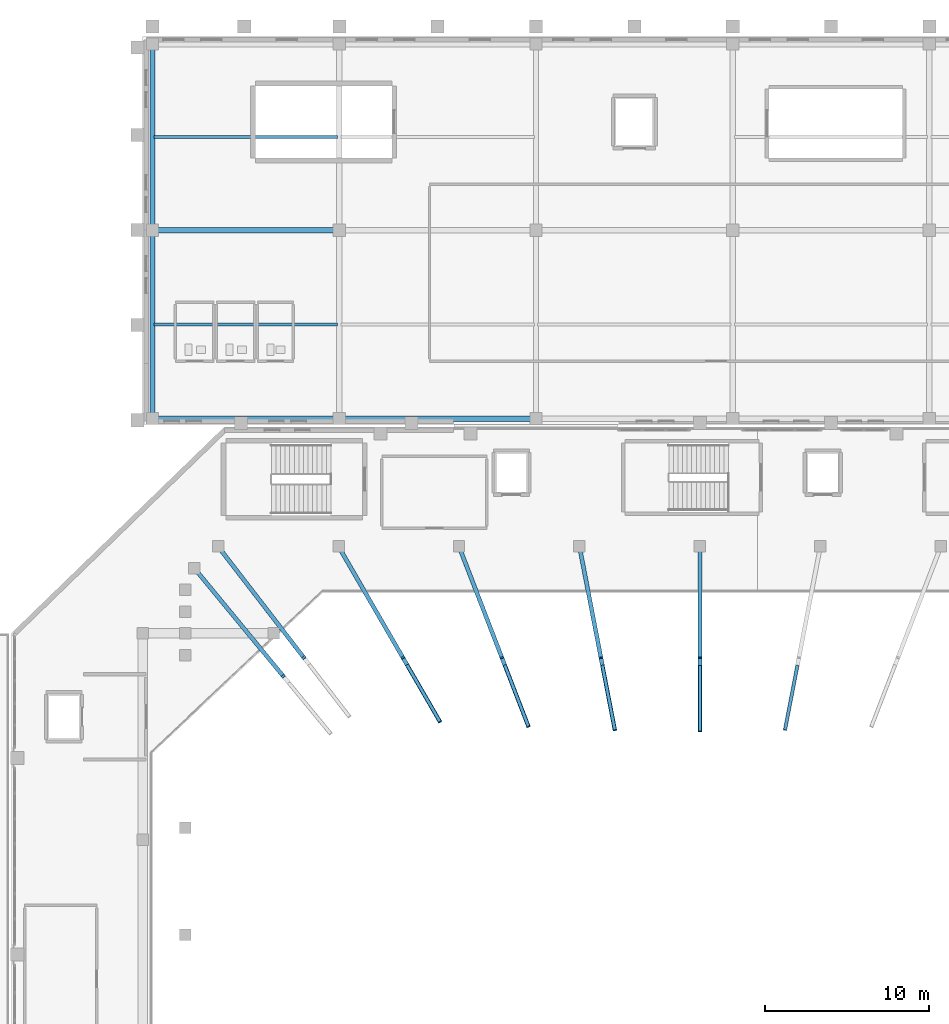
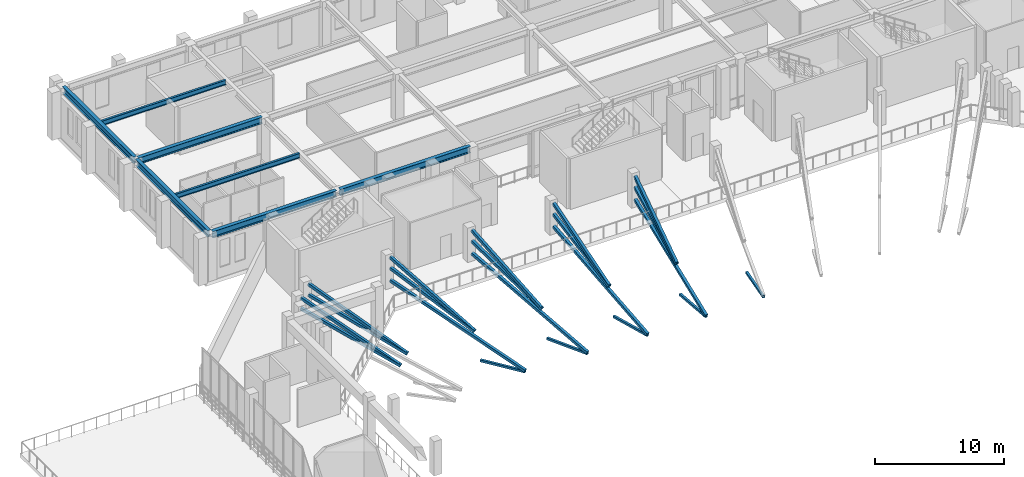
# One storey, part 24 of 79: 21 members, 7 beams.
"""IFC4 building model written with IfcOpenShell, lengths in metres."""

from ifc_helpers import new_model, si_unit, derived_unit, direction, frame, origin, origin_2d, place, context, subcontext, project, spatial, hollow_rectangle, i_section, extrude, material, material_profile, profile_set, type_object, element, save


model = new_model("IFC4")

# Units and contexts
model_context = context("Model", 3, precision=1e-05, world=origin(), true_north=direction((0.0, 1.0)))
body_context = subcontext(model_context, "Body", "Model", "MODEL_VIEW")
ifc_project = project(units=[si_unit("LENGTHUNIT", "METRE"), si_unit("AREAUNIT", "SQUARE_METRE"), si_unit("VOLUMEUNIT", "CUBIC_METRE"), si_unit("PLANEANGLEUNIT", "RADIAN"), si_unit("MASSUNIT", "GRAM", prefix="KILO"), derived_unit("THERMALTRANSMITTANCEUNIT", [(si_unit("MASSUNIT", "GRAM", prefix="KILO"), 1), (si_unit("TIMEUNIT", "SECOND"), -3), (si_unit("THERMODYNAMICTEMPERATUREUNIT", "KELVIN"), -1)])], contexts=[model_context])

# Site, building, storey
site_placement = place(None, origin())
site = spatial("IfcSite", under=ifc_project, at=site_placement, CompositionType="ELEMENT")
building_placement = place(site_placement, origin())
building = spatial("IfcBuilding", under=site, at=building_placement, Name="Valcora Ridge Arena", CompositionType="ELEMENT")
storey_placement = place(building_placement, frame((0.0, 0.0, 16.199951171875)))
storey = spatial("IfcBuildingStorey", under=building, at=storey_placement, Name="L03", CompositionType="ELEMENT", Elevation=16.199951171875)

# Beams
ifc_material_1 = material(Name="Steel ASTM A572 Grade 50", Category="steel")
ifc_material_profile_1 = material_profile(ifc_material_1, i_section(OverallWidth=0.324951171875, OverallDepth=0.612060546875, WebThickness=0.0126953125, FlangeThickness=0.01904296875, FilletRadius=0.01806640625, at=origin_2d()), Name="W24X104")
ifc_profile_set_1 = profile_set([ifc_material_profile_1], Name="Steel ASTM A572 Grade 50")
beam_type_1 = type_object("IfcBeamType", Name="TY-BEAM-G-W24X104-X", PredefinedType="BEAM", material=ifc_profile_set_1)
beam_1_placement = place(storey_placement, frame((24.739990234375, 108.699951171875, 4.154052734375), z_axis=(1.0, 0.0, 0.0), x_axis=(0.0, 1.0, 0.0)))
element("IfcBeam", 1, at=beam_1_placement, inside=storey, type_object=beam_type_1, Name="G-W24X104-X BEM-G-W24X104-X-0097", PredefinedType="BEAM", context=body_context, shape_type="SweptSolid", body=[
    extrude(i_section(OverallWidth=0.324951171875, OverallDepth=0.612060546875, WebThickness=0.0126953125, FlangeThickness=0.01904296875, FilletRadius=0.01806640625, at=origin_2d()), origin(), (0.0, 0.0, 1.0), 11.1201171875),
])
beam_2_placement = place(storey_placement, frame((36.139892578125, 108.699951171875, 4.154052734375), z_axis=(1.0, 0.0, 0.0), x_axis=(0.0, 1.0, 0.0)))
element("IfcBeam", 2, at=beam_2_placement, inside=storey, type_object=beam_type_1, Name="G-W24X104-X BEM-G-W24X104-X-0098", PredefinedType="BEAM", context=body_context, shape_type="SweptSolid", body=[
    extrude(i_section(OverallWidth=0.324951171875, OverallDepth=0.612060546875, WebThickness=0.0126953125, FlangeThickness=0.01904296875, FilletRadius=0.01806640625, at=origin_2d()), origin(), (0.0, 0.0, 1.0), 11.72021484375),
])
beam_3_placement = place(storey_placement, frame((24.739990234375, 120.199951171875, 4.154052734375), z_axis=(1.0, 0.0, 0.0), x_axis=(0.0, 1.0, 0.0)))
element("IfcBeam", 3, at=beam_3_placement, inside=storey, type_object=beam_type_1, Name="G-W24X104-X BEM-G-W24X104-X-0111", PredefinedType="BEAM", context=body_context, shape_type="SweptSolid", body=[
    extrude(i_section(OverallWidth=0.324951171875, OverallDepth=0.612060546875, WebThickness=0.0126953125, FlangeThickness=0.01904296875, FilletRadius=0.01806640625, at=origin_2d()), origin(), (0.0, 0.0, 1.0), 11.1201171875),
])
ifc_material_profile_2 = material_profile(ifc_material_1, i_section(OverallWidth=0.324951171875, OverallDepth=0.612060546875, WebThickness=0.0126953125, FlangeThickness=0.01904296875, FilletRadius=0.01806640625, at=origin_2d()), Name="W24X104")
ifc_profile_set_2 = profile_set([ifc_material_profile_2], Name="Steel ASTM A572 Grade 50")
beam_type_2 = type_object("IfcBeamType", Name="TY-BEAM-G-W24X104-Y", PredefinedType="BEAM", material=ifc_profile_set_2)
beam_4_placement = place(storey_placement, frame((24.60009765625, 108.840087890625, 4.154052734375), z_axis=(0.0, 1.0, 0.0), x_axis=(-1.0, 0.0, 0.0)))
element("IfcBeam", 4, at=beam_4_placement, inside=storey, type_object=beam_type_2, Name="G-W24X104-Y BEM-G-W24X104-Y-0109", PredefinedType="BEAM", context=body_context, shape_type="SweptSolid", body=[
    extrude(i_section(OverallWidth=0.324951171875, OverallDepth=0.612060546875, WebThickness=0.0126953125, FlangeThickness=0.01904296875, FilletRadius=0.01806640625, at=origin_2d()), origin(), (0.0, 0.0, 1.0), 11.219970703125),
])
beam_5_placement = place(storey_placement, frame((24.60009765625, 120.340087890625, 4.154052734375), z_axis=(0.0, 1.0, 0.0), x_axis=(-1.0, 0.0, 0.0)))
element("IfcBeam", 5, at=beam_5_placement, inside=storey, type_object=beam_type_2, Name="G-W24X104-Y BEM-G-W24X104-Y-0110", PredefinedType="BEAM", context=body_context, shape_type="SweptSolid", body=[
    extrude(i_section(OverallWidth=0.324951171875, OverallDepth=0.612060546875, WebThickness=0.0126953125, FlangeThickness=0.01904296875, FilletRadius=0.01806640625, at=origin_2d()), origin(), (0.0, 0.0, 1.0), 11.06982421875),
])
ifc_material_profile_3 = material_profile(ifc_material_1, i_section(OverallWidth=0.18994140625, OverallDepth=0.45703125, WebThickness=0.009033203125, FlangeThickness=0.014404296875, FilletRadius=0.014892578125, at=origin_2d()), Name="W18X50")
ifc_profile_set_3 = profile_set([ifc_material_profile_3], Name="Steel ASTM A572 Grade 50")
beam_type_3 = type_object("IfcBeamType", Name="TY-BEAM-J-W18X50", PredefinedType="JOIST", material=ifc_profile_set_3)
for number, where, z_axis, x_axis, name in (
    (6, (24.699951171875, 114.449951171875, 4.2314453125), (1.0, 0.0, 0.0), (0.0, 1.0, 0.0), "J-W18X50 BEM-J-W18X50-0079"),
    (7, (24.699951171875, 125.875, 4.2314453125), (1.0, 0.0, 0.0), (0.0, 1.0, 0.0), "J-W18X50 BEM-J-W18X50-0080"),
):
    element("IfcBeam", number, at=place(storey_placement, frame(where, z_axis=z_axis, x_axis=x_axis)), inside=storey, type_object=beam_type_3, Name=name, PredefinedType="JOIST", context=body_context, shape_type="SweptSolid", body=[
        extrude(i_section(OverallWidth=0.18994140625, OverallDepth=0.45703125, WebThickness=0.009033203125, FlangeThickness=0.014404296875, FilletRadius=0.014892578125, at=origin_2d()), origin(), (0.0, 0.0, 1.0), 11.199951171875),
    ])

# Members
ifc_material_2 = material(Name="Steel ASTM A500 Grade C", Category="steel")
ifc_material_profile_4 = material_profile(ifc_material_2, hollow_rectangle(XDim=0.25, YDim=0.25, WallThickness=0.012451171875, at=origin_2d()), Name="HSS250X250X12")
ifc_profile_set_4 = profile_set([ifc_material_profile_4], Name="Steel ASTM A500 Grade C")
member_type_1 = type_object("IfcMemberType", Name="TY-MEMBER-RKRUC-250", PredefinedType="CHORD", material=ifc_profile_set_4)
member_1_placement = place(storey_placement, frame((58.0, 89.617431640625, -3.65380859375), z_axis=(0.0, 0.930149481104, 0.367181076312), x_axis=(-1.0, 0.0, 0.0)))
element("IfcMember", 8, at=member_1_placement, inside=storey, type_object=member_type_1, Name="RKRUC-250 MBR-RK-RKRUC-250-0016", PredefinedType="CHORD", context=body_context, shape_type="SweptSolid", body=[
    extrude(hollow_rectangle(XDim=0.25, YDim=0.25, WallThickness=0.012451171875, at=origin_2d()), origin(), (0.0, 0.0, 1.0), 11.849853515625),
])
member_2_placement = place(storey_placement, frame((52.810791015625, 89.695068359375, -3.654541015625), z_axis=(-0.176386064214, 0.914686567502, 0.363643286179), x_axis=(-0.981909805174, -0.189349239512, 0.0)))
element("IfcMember", 9, at=member_2_placement, inside=storey, type_object=member_type_1, Name="RKRUC-250 MBR-RK-RKRUC-250-0017", PredefinedType="CHORD", context=body_context, shape_type="SweptSolid", body=[
    extrude(hollow_rectangle(XDim=0.25, YDim=0.25, WallThickness=0.012451171875, at=origin_2d()), origin(), (0.0, 0.0, 1.0), 11.969970703125),
])
member_3_placement = place(storey_placement, frame((47.540771484375, 89.9052734375, -3.65625), z_axis=(-0.336605566233, 0.87268917204, 0.353709346477), x_axis=(-0.933002776329, -0.359869169786, 0.0)))
element("IfcMember", 10, at=member_3_placement, inside=storey, type_object=member_type_1, Name="RKRUC-250 MBR-RK-RKRUC-250-0018", PredefinedType="CHORD", context=body_context, shape_type="SweptSolid", body=[
    extrude(hollow_rectangle(XDim=0.25, YDim=0.25, WallThickness=0.012451171875, at=origin_2d()), origin(), (0.0, 0.0, 1.0), 12.318603515625),
])
member_4_placement = place(storey_placement, frame((42.143798828125, 90.19482421875, -3.658935546875), z_axis=(-0.47111918103, 0.814260155211, 0.33915647849), x_axis=(-0.865562040248, -0.500801711741, 0.0)))
element("IfcMember", 11, at=member_4_placement, inside=storey, type_object=member_type_1, Name="RKRUC-250 MBR-RK-RKRUC-250-0019", PredefinedType="CHORD", context=body_context, shape_type="SweptSolid", body=[
    extrude(hollow_rectangle(XDim=0.25, YDim=0.25, WallThickness=0.012451171875, at=origin_2d()), origin(), (0.0, 0.0, 1.0), 12.8671875),
])
ifc_material_profile_5 = material_profile(ifc_material_2, hollow_rectangle(XDim=0.25, YDim=0.25, WallThickness=0.012451171875, at=origin_2d()), Name="HSS250X250X12")
ifc_profile_set_5 = profile_set([ifc_material_profile_5], Name="Steel ASTM A500 Grade C")
member_type_2 = type_object("IfcMemberType", Name="TY-MEMBER-RKRUC-251", PredefinedType="CHORD", material=ifc_profile_set_5)
member_5_placement = place(storey_placement, frame((58.0, 94.132568359375, -1.493896484375), z_axis=(0.0, 0.830208622139, 0.557452817488), x_axis=(-1.0, 0.0, 0.0)))
element("IfcMember", 12, at=member_5_placement, inside=storey, type_object=member_type_2, Name="RKRUC-251 MBR-RK-RKRUC-251-0016", PredefinedType="CHORD", context=body_context, shape_type="SweptSolid", body=[
    extrude(hollow_rectangle(XDim=0.25, YDim=0.25, WallThickness=0.012451171875, at=origin_2d()), origin(), (0.0, 0.0, 1.0), 7.871337890625),
])
member_6_placement = place(storey_placement, frame((51.955810546875, 94.12939453125, -1.495849609375), z_axis=(-0.15809924843, 0.819778413767, 0.550425271919), x_axis=(-0.981906452279, -0.189366625818, 0.0)))
element("IfcMember", 13, at=member_6_placement, inside=storey, type_object=member_type_2, Name="RKRUC-251 MBR-RK-RKRUC-251-0017", PredefinedType="CHORD", context=body_context, shape_type="SweptSolid", body=[
    extrude(hollow_rectangle(XDim=0.25, YDim=0.25, WallThickness=0.012451171875, at=origin_2d()), origin(), (0.0, 0.0, 1.0), 7.97900390625),
])
member_7_placement = place(storey_placement, frame((45.91455078125, 94.121337890625, -1.50146484375), z_axis=(-0.30494831257, 0.790675424976, 0.530885014856), x_axis=(-0.933012155096, -0.359844853295, 0.0)))
element("IfcMember", 14, at=member_7_placement, inside=storey, type_object=member_type_2, Name="RKRUC-251 MBR-RK-RKRUC-251-0018", PredefinedType="CHORD", context=body_context, shape_type="SweptSolid", body=[
    extrude(hollow_rectangle(XDim=0.25, YDim=0.25, WallThickness=0.012451171875, at=origin_2d()), origin(), (0.0, 0.0, 1.0), 8.29345703125),
])
member_8_placement = place(storey_placement, frame((39.87890625, 94.109619140625, -1.50927734375), z_axis=(-0.432991581659, 0.748351377508, 0.502482343963), x_axis=(-0.865558897292, -0.500807143838, 0.0)))
element("IfcMember", 15, at=member_8_placement, inside=storey, type_object=member_type_2, Name="RKRUC-251 MBR-RK-RKRUC-251-0019", PredefinedType="CHORD", context=body_context, shape_type="SweptSolid", body=[
    extrude(hollow_rectangle(XDim=0.25, YDim=0.25, WallThickness=0.012451171875, at=origin_2d()), origin(), (0.0, 0.0, 1.0), 8.793701171875),
])
member_9_placement = place(storey_placement, frame((33.84912109375, 94.095703125, -1.5185546875), z_axis=(-0.539339010653, 0.699110637887, 0.469422781277), x_axis=(-0.791768513039, -0.610821268261, 0.0)))
element("IfcMember", 16, at=member_9_placement, inside=storey, type_object=member_type_2, Name="RKRUC-251 MBR-RK-RKRUC-251-0020", PredefinedType="CHORD", context=body_context, shape_type="SweptSolid", body=[
    extrude(hollow_rectangle(XDim=0.25, YDim=0.25, WallThickness=0.012451171875, at=origin_2d()), origin(), (0.0, 0.0, 1.0), 9.45263671875),
])
member_10_placement = place(storey_placement, frame((32.593017578125, 92.9658203125, -1.51806640625), z_axis=(-0.560895291431, 0.681042731005, 0.470719949223), x_axis=(-0.771909894163, -0.635731952393, 0.0)))
element("IfcMember", 17, at=member_10_placement, inside=storey, type_object=member_type_2, Name="RKRUC-251 MBR-RK-RKRUC-251-0021", PredefinedType="CHORD", context=body_context, shape_type="SweptSolid", body=[
    extrude(hollow_rectangle(XDim=0.25, YDim=0.25, WallThickness=0.012451171875, at=origin_2d()), origin(), (0.0, 0.0, 1.0), 9.424560546875),
])
ifc_material_profile_6 = material_profile(ifc_material_2, hollow_rectangle(XDim=0.25, YDim=0.25, WallThickness=0.012451171875, at=origin_2d()), Name="HSS250X250X12")
ifc_profile_set_6 = profile_set([ifc_material_profile_6], Name="Steel ASTM A500 Grade C")
member_type_3 = type_object("IfcMemberType", Name="TY-MEMBER-RKRUT-250", PredefinedType="BRACE", material=ifc_profile_set_6)
member_11_placement = place(storey_placement, frame((58.0, 94.14892578125, -1.471923828125), z_axis=(0.0, 0.88928042979, 0.457362347808), x_axis=(-1.0, 0.0, 0.0)))
element("IfcMember", 18, at=member_11_placement, inside=storey, type_object=member_type_3, Name="RKRUT-250 Raker Tie Brace", PredefinedType="BRACE", context=body_context, shape_type="SweptSolid", body=[
    extrude(hollow_rectangle(XDim=0.25, YDim=0.25, WallThickness=0.012451171875, at=origin_2d()), origin(), (0.0, 0.0, 1.0), 7.3115234375),
])
member_12_placement = place(storey_placement, frame((51.95263671875, 94.1455078125, -1.4736328125), z_axis=(-0.169045934317, 0.876494293043, 0.450756282657), x_axis=(-0.981904643351, -0.189376005255, 0.0)))
element("IfcMember", 19, at=member_12_placement, inside=storey, type_object=member_type_3, Name="RKRUT-250 Raker Tie Brace", PredefinedType="BRACE", context=body_context, shape_type="SweptSolid", body=[
    extrude(hollow_rectangle(XDim=0.25, YDim=0.25, WallThickness=0.012451171875, at=origin_2d()), origin(), (0.0, 0.0, 1.0), 7.42626953125),
])
member_13_placement = place(storey_placement, frame((45.9091796875, 94.135498046875, -1.478759765625), z_axis=(-0.324452528948, 0.841186037969, 0.432592887118), x_axis=(-0.933003499117, -0.359867295868, 0.0)))
element("IfcMember", 20, at=member_13_placement, inside=storey, type_object=member_type_3, Name="RKRUT-250 Raker Tie Brace", PredefinedType="BRACE", context=body_context, shape_type="SweptSolid", body=[
    extrude(hollow_rectangle(XDim=0.25, YDim=0.25, WallThickness=0.012451171875, at=origin_2d()), origin(), (0.0, 0.0, 1.0), 7.76171875),
])
member_14_placement = place(storey_placement, frame((39.871826171875, 94.121337890625, -1.486083984375), z_axis=(-0.457491614619, 0.790769501065, 0.406675569389), x_axis=(-0.865579222082, -0.500772014294, 0.0)))
element("IfcMember", 21, at=member_14_placement, inside=storey, type_object=member_type_3, Name="RKRUT-250 Raker Tie Brace", PredefinedType="BRACE", context=body_context, shape_type="SweptSolid", body=[
    extrude(hollow_rectangle(XDim=0.25, YDim=0.25, WallThickness=0.012451171875, at=origin_2d()), origin(), (0.0, 0.0, 1.0), 8.29248046875),
])
member_15_placement = place(storey_placement, frame((33.841552734375, 94.105224609375, -1.494384765625), z_axis=(-0.565701100099, 0.733311209436, 0.377143123312), x_axis=(-0.791780228759, -0.610806081622, 0.0)))
element("IfcMember", 22, at=member_15_placement, inside=storey, type_object=member_type_3, Name="RKRUT-250 Raker Tie Brace", PredefinedType="BRACE", context=body_context, shape_type="SweptSolid", body=[
    extrude(hollow_rectangle(XDim=0.25, YDim=0.25, WallThickness=0.012451171875, at=origin_2d()), origin(), (0.0, 0.0, 1.0), 8.98583984375),
])
member_16_placement = place(storey_placement, frame((32.585205078125, 92.97509765625, -1.494140625), z_axis=(-0.588463892393, 0.714563297906, 0.378298216538), x_axis=(-0.771930235617, -0.635707252861, 0.0)))
element("IfcMember", 23, at=member_16_placement, inside=storey, type_object=member_type_3, Name="RKRUT-250 Raker Tie Brace", PredefinedType="BRACE", context=body_context, shape_type="SweptSolid", body=[
    extrude(hollow_rectangle(XDim=0.25, YDim=0.25, WallThickness=0.012451171875, at=origin_2d()), origin(), (0.0, 0.0, 1.0), 8.956298828125),
])
ifc_material_profile_7 = material_profile(ifc_material_2, hollow_rectangle(XDim=0.199951171875, YDim=0.199951171875, WallThickness=0.012451171875, at=origin_2d()), Name="HSS200X200X12")
ifc_profile_set_7 = profile_set([ifc_material_profile_7], Name="Steel ASTM A500 Grade C")
member_type_4 = type_object("IfcMemberType", Name="TY-MEMBER-RKRUW-200", PredefinedType="STRUT", material=ifc_profile_set_7)
for number, where, z_axis, x_axis, name in (
    (24, (63.19140625, 89.70654296875, -3.7353515625), (0.188648490649, 0.978352538777, -0.085076770293), (-0.981912561858, 0.189334943594, 0.0), "RKRUW-200 Raker Web Strut"),
    (25, (58.0, 89.62939453125, -3.7353515625), (0.0, 0.996374312058, -0.085077789533), (-1.0, 0.0, 0.0), "RKRUW-200 Raker Web Strut"),
    (26, (52.80859375, 89.70654296875, -3.7353515625), (-0.188648490649, 0.978352538777, -0.085076770293), (-0.981912561858, -0.189334943594, 0.0), "RKRUW-200 Raker Web Strut"),
):
    element("IfcMember", number, at=place(storey_placement, frame(where, z_axis=z_axis, x_axis=x_axis)), inside=storey, type_object=member_type_4, Name=name, PredefinedType="STRUT", context=body_context, shape_type="SweptSolid", body=[
        extrude(hollow_rectangle(XDim=0.199951171875, YDim=0.199951171875, WallThickness=0.012451171875, at=origin_2d()), origin(), (0.0, 0.0, 1.0), 4.026123046875),
    ])
for number, where, z_axis, x_axis, name in (
    (27, (47.536865234375, 89.915283203125, -3.7353515625), (-0.35854704667, 0.929627054372, -0.085073821491), (-0.933009539695, -0.35985163448, 0.0), "RKRUW-200 Raker Web Strut"),
    (28, (42.138671875, 90.203369140625, -3.7353515625), (-0.498976063093, 0.862430009159, -0.085072720442), (-0.865567913668, -0.50079156026, 0.0), "RKRUW-200 Raker Web Strut"),
):
    element("IfcMember", number, at=place(storey_placement, frame(where, z_axis=z_axis, x_axis=x_axis)), inside=storey, type_object=member_type_4, Name=name, PredefinedType="STRUT", context=body_context, shape_type="SweptSolid", body=[
        extrude(hollow_rectangle(XDim=0.199951171875, YDim=0.199951171875, WallThickness=0.012451171875, at=origin_2d()), origin(), (0.0, 0.0, 1.0), 4.0263671875),
    ])

save(model, "model.ifc")
